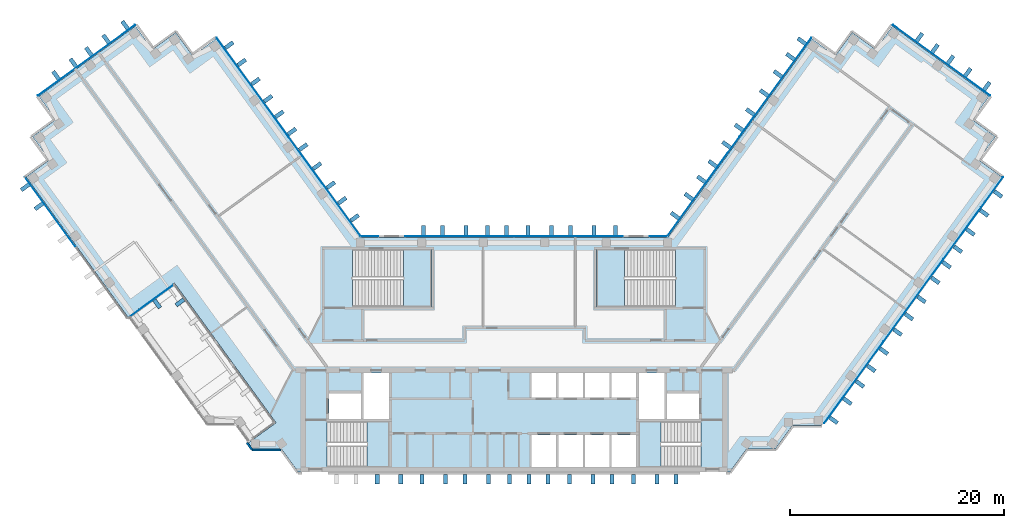
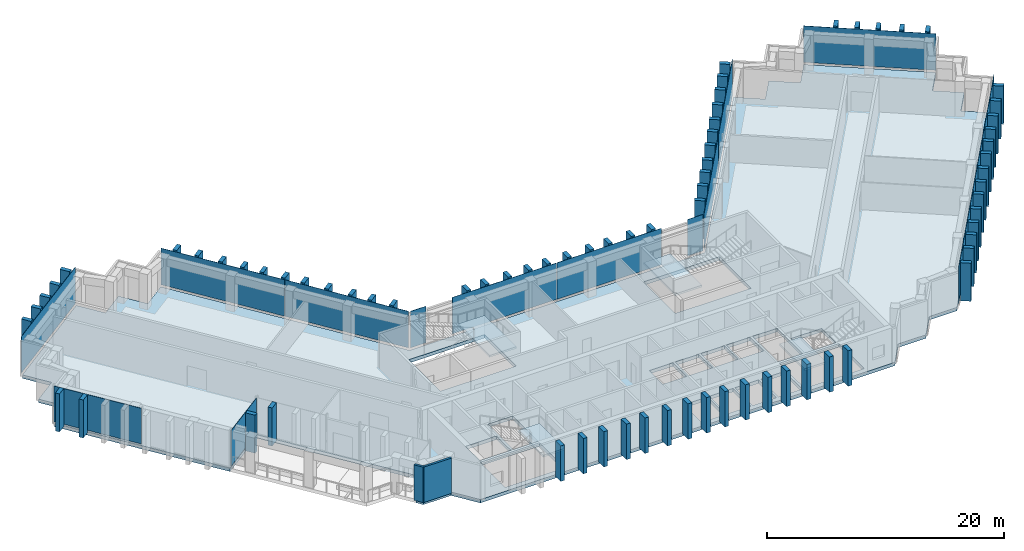
"""IFC4 building model written with IfcOpenShell, lengths in metres."""

from ifc_helpers import new_model, si_unit, direction, frame, frame_2d, origin, origin_2d, place, context, subcontext, project, spatial, polyline, rectangle, outline, extrude, material, layer, layer_set, type_object, element, aggregate, save


model = new_model("IFC4")

# Units and contexts
model_context = context("Model", 3, precision=1e-05, world=origin(), true_north=direction((0.0, 1.0)))
body_context = subcontext(model_context, "Body", "Model", "MODEL_VIEW")
ifc_project = project(units=[si_unit("LENGTHUNIT", "METRE"), si_unit("AREAUNIT", "SQUARE_METRE"), si_unit("VOLUMEUNIT", "CUBIC_METRE"), si_unit("PLANEANGLEUNIT", "RADIAN"), si_unit("MASSUNIT", "GRAM", prefix="KILO")], contexts=[model_context])

# Site, building, storey
site_placement = place(None, origin())
site = spatial("IfcSite", under=ifc_project, at=site_placement, CompositionType="ELEMENT")
building_placement = place(site_placement, origin())
building = spatial("IfcBuilding", under=site, at=building_placement, Name="Quipu Civic Tower", CompositionType="ELEMENT")
storey_1_placement = place(building_placement, frame((0.0, 0.0, 164.0)))
storey_1 = spatial("IfcBuildingStorey", under=building, at=storey_1_placement, Name="L38", CompositionType="ELEMENT", Elevation=164.0)

# Slab
ifc_material_1 = material(Name="Concrete C40/50", Category="concrete")
ifc_layer_1 = layer(ifc_material_1, 0.35009765625)
ifc_layer_set_1 = layer_set([ifc_layer_1], Name="Concrete C40/50")
slab_type_1 = type_object("IfcSlabType", Name="Floor slab 350 C40/50", PredefinedType="FLOOR", material=ifc_layer_set_1)
slab_1_placement = place(storey_1_placement, frame((0.0, 0.0, -0.35009765625)))
element("IfcSlab", 1, at=slab_1_placement, inside=storey_1, type_object=slab_type_1, Name="Floor slab L38", PredefinedType="FLOOR", context=body_context, shape_type="SweptSolid", body=[
    extrude(outline(polyline([(-45.114990234375, 20.445068359375), (-42.929931640625, 22.030029296875), (-44.514892578125, 24.215087890625), (-35.455078125, 30.800048828125), (-33.864990234375, 28.614990234375), (-31.68505859375, 30.199951171875), (-30.094970703125, 28.014892578125), (-27.909912109375, 29.60498046875), (-14.39501953125, 11.0), (14.39501953125, 11.0), (27.909912109375, 29.60498046875), (30.094970703125, 28.014892578125), (31.68505859375, 30.199951171875), (33.864990234375, 28.614990234375), (35.455078125, 30.800048828125), (44.514892578125, 24.215087890625), (42.929931640625, 22.030029296875), (45.114990234375, 20.445068359375), (43.52490234375, 18.260009765625), (45.7099609375, 16.669921875), (28.780029296875, -6.6298828125), (26.080078125, -6.6298828125), (24.489990234375, -8.81494140625), (21.7900390625, -8.81494140625), (20.205078125, -11.0), (-20.205078125, -11.0), (-21.7900390625, -8.81494140625), (-24.489990234375, -8.81494140625), (-24.89990234375, -8.2548828125), (-22.294921875, -6.364990234375), (-31.820068359375, 6.739990234375), (-36.18994140625, 3.56494140625), (-45.7099609375, 16.669921875), (-43.52490234375, 18.260009765625), (-45.114990234375, 20.445068359375)]), holes=[polyline([(1.64990234375, -7.5), (1.64990234375, -10.5), (3.949951171875, -10.5), (3.949951171875, -7.5), (1.64990234375, -7.5)]), polyline([(4.14990234375, -7.5), (4.14990234375, -10.5), (6.449951171875, -10.5), (6.449951171875, -7.5), (4.14990234375, -7.5)]), polyline([(-11.705078125, -6.2548828125), (-17.4951171875, -6.2548828125), (-17.4951171875, -10.4951171875), (-11.705078125, -10.4951171875), (-11.705078125, -6.2548828125)]), polyline([(-17.35009765625, -3.60009765625), (-17.35009765625, -6.0), (-14.35009765625, -6.0), (-14.35009765625, -3.60009765625), (-17.35009765625, -3.60009765625)]), polyline([(-14.10009765625, -1.699951171875), (-14.10009765625, -6.0), (-11.699951171875, -6.0), (-11.699951171875, -1.699951171875), (-14.10009765625, -1.699951171875)]), polyline([(1.64990234375, -1.699951171875), (1.64990234375, -4.0), (3.949951171875, -4.0), (3.949951171875, -1.699951171875), (1.64990234375, -1.699951171875)]), polyline([(4.14990234375, -1.699951171875), (4.14990234375, -4.0), (6.449951171875, -4.0), (6.449951171875, -1.699951171875), (4.14990234375, -1.699951171875)]), polyline([(-7.7548828125, 9.844970703125), (-15.14501953125, 9.844970703125), (-15.14501953125, 4.5048828125), (-7.7548828125, 4.5048828125), (-7.7548828125, 9.844970703125)]), polyline([(6.64990234375, -7.5), (6.64990234375, -10.5), (8.949951171875, -10.5), (8.949951171875, -7.5), (6.64990234375, -7.5)]), polyline([(9.14990234375, -7.5), (9.14990234375, -10.5), (11.449951171875, -10.5), (11.449951171875, -7.5), (9.14990234375, -7.5)]), polyline([(11.705078125, -10.4951171875), (17.4951171875, -10.4951171875), (17.4951171875, -6.2548828125), (11.705078125, -6.2548828125), (11.705078125, -10.4951171875)]), polyline([(14.35009765625, -3.60009765625), (14.35009765625, -6.0), (17.35009765625, -6.0), (17.35009765625, -3.60009765625), (14.35009765625, -3.60009765625)]), polyline([(11.699951171875, -1.699951171875), (11.699951171875, -6.0), (14.10009765625, -6.0), (14.10009765625, -1.699951171875), (11.699951171875, -1.699951171875)]), polyline([(6.64990234375, -1.699951171875), (6.64990234375, -4.0), (8.949951171875, -4.0), (8.949951171875, -1.699951171875), (6.64990234375, -1.699951171875)]), polyline([(9.14990234375, -1.699951171875), (9.14990234375, -4.0), (11.449951171875, -4.0), (11.449951171875, -1.699951171875), (9.14990234375, -1.699951171875)]), polyline([(7.7548828125, 4.5048828125), (15.14501953125, 4.5048828125), (15.14501953125, 9.844970703125), (7.7548828125, 9.844970703125), (7.7548828125, 4.5048828125)])]), origin(), (0.0, 0.0, 1.0), 0.35009765625),
])

# Storey
storey_2_placement = place(building_placement, frame((0.0, 0.0, 160.0)))
storey_2 = spatial("IfcBuildingStorey", under=building, at=storey_2_placement, Name="L37", CompositionType="ELEMENT", Elevation=160.0)

# Curtain wall, plates
ifc_material_2 = material(Name="Insulated glass unit", Category="glass")
curtain_wall_type = type_object("IfcCurtainWallType", Name="Office curtain wall CW1", PredefinedType="NOTDEFINED", material=ifc_material_2)
curtain_wall_1_placement = place(storey_2_placement, origin())
curtain_wall_1 = element("IfcCurtainWall", 2, at=curtain_wall_1_placement, inside=storey_2, type_object=curtain_wall_type, Name="Office curtain wall CW1 L36 run 10", PredefinedType="NOTDEFINED")
ifc_material_3 = material(Name="Insulated glass unit", Category="glass")
ifc_layer_2 = layer(ifc_material_3, 0.028076171875)
ifc_layer_set_2 = layer_set([ifc_layer_2], Name="Insulated glass unit")
plate_type_1 = type_object("IfcPlateType", Name="Glass panel CW1", PredefinedType="CURTAIN_PANEL", material=ifc_layer_set_2)
plate_1_placement = place(storey_1_placement, frame((-17.7421875, 15.777099609375, 0.16015625), z_axis=(0.0, 0.0, 1.0), x_axis=(-0.587788727052, 0.809014469803, 0.0)))
plate_1 = element("IfcPlate", 3, at=plate_1_placement, inside=storey_1, type_object=plate_type_1, Name="CW1 panel 1.3", PredefinedType="CURTAIN_PANEL", context=body_context, shape_type="SweptSolid", body=[
    extrude(rectangle(XDim=11.402099609375, YDim=0.028076171875, at=origin_2d()), origin(), (0.0, 0.0, 1.0), 3.760009765625),
])
plate_2_placement = place(storey_1_placement, frame((-24.491455078125, 25.066162109375, 0.16015625), z_axis=(0.0, 0.0, 1.0), x_axis=(-0.587788727052, 0.809014469803, 0.0)))
plate_2 = element("IfcPlate", 4, at=plate_2_placement, inside=storey_1, type_object=plate_type_1, Name="CW1 panel 2.3", PredefinedType="CURTAIN_PANEL", context=body_context, shape_type="SweptSolid", body=[
    extrude(rectangle(XDim=11.402099609375, YDim=0.028076171875, at=origin_2d()), origin(), (0.0, 0.0, 1.0), 3.760009765625),
])
aggregate(curtain_wall_1, [plate_1, plate_2])

# Curtain wall, plate
curtain_wall_2_placement = place(storey_2_placement, origin())
curtain_wall_2 = element("IfcCurtainWall", 5, at=curtain_wall_2_placement, inside=storey_2, type_object=curtain_wall_type, Name="Office curtain wall CW1 L36 run 15", PredefinedType="NOTDEFINED")
plate_3_placement = place(storey_1_placement, frame((-40.04345703125, 27.58740234375, 0.16015625), z_axis=(0.0, 0.0, 1.0), x_axis=(-0.809015176832, -0.587787753918, 0.0)))
plate_3 = element("IfcPlate", 6, at=plate_3_placement, inside=storey_1, type_object=plate_type_1, Name="CW1 panel 1.3", PredefinedType="CURTAIN_PANEL", context=body_context, shape_type="SweptSolid", body=[
    extrude(rectangle(XDim=11.239990234375, YDim=0.028076171875, at=origin_2d()), origin(), (0.0, 0.0, 1.0), 3.760009765625),
])
aggregate(curtain_wall_2, [plate_3])

# Curtain wall, plates
curtain_wall_3_placement = place(storey_2_placement, origin())
curtain_wall_3 = element("IfcCurtainWall", 7, at=curtain_wall_3_placement, inside=storey_2, type_object=curtain_wall_type, Name="Office curtain wall CW1 L36 run 26", PredefinedType="NOTDEFINED")
plate_4_placement = place(storey_1_placement, frame((31.824951171875, -2.60888671875, 0.16015625), z_axis=(0.0, 0.0, 1.0), x_axis=(0.5877856923, 0.80901667469, 0.0)))
plate_4 = element("IfcPlate", 8, at=plate_4_placement, inside=storey_1, type_object=plate_type_1, Name="CW1 panel 1.3", PredefinedType="CURTAIN_PANEL", context=body_context, shape_type="SweptSolid", body=[
    extrude(rectangle(XDim=9.43212890625, YDim=0.028076171875, at=origin_2d()), origin(), (0.0, 0.0, 1.0), 3.760009765625),
])
plate_5_placement = place(storey_1_placement, frame((37.427734375, 5.102783203125, 0.16015625), z_axis=(0.0, 0.0, 1.0), x_axis=(0.5877856923, 0.80901667469, 0.0)))
plate_5 = element("IfcPlate", 9, at=plate_5_placement, inside=storey_1, type_object=plate_type_1, Name="CW1 panel 2.3", PredefinedType="CURTAIN_PANEL", context=body_context, shape_type="SweptSolid", body=[
    extrude(rectangle(XDim=9.471923828125, YDim=0.028076171875, at=origin_2d()), origin(), (0.0, 0.0, 1.0), 3.760009765625),
])
plate_6_placement = place(storey_1_placement, frame((43.030517578125, 12.814208984375, 0.16015625), z_axis=(0.0, 0.0, 1.0), x_axis=(0.5877856923, 0.80901667469, 0.0)))
plate_6 = element("IfcPlate", 10, at=plate_6_placement, inside=storey_1, type_object=plate_type_1, Name="CW1 panel 3.3", PredefinedType="CURTAIN_PANEL", context=body_context, shape_type="SweptSolid", body=[
    extrude(rectangle(XDim=9.43212890625, YDim=0.028076171875, at=origin_2d()), origin(), (0.0, 0.0, 1.0), 3.760009765625),
])
aggregate(curtain_wall_3, [plate_4, plate_5, plate_6])

# Curtain wall, plate
curtain_wall_4_placement = place(storey_2_placement, origin())
curtain_wall_4 = element("IfcCurtainWall", 11, at=curtain_wall_4_placement, inside=storey_2, type_object=curtain_wall_type, Name="Office curtain wall CW1 L36 run 31", PredefinedType="NOTDEFINED")
plate_7_placement = place(storey_1_placement, frame((40.04345703125, 27.58740234375, 0.16015625), z_axis=(0.0, 0.0, 1.0), x_axis=(-0.809015176832, 0.587787753918, 0.0)))
plate_7 = element("IfcPlate", 12, at=plate_7_placement, inside=storey_1, type_object=plate_type_1, Name="CW1 panel 1.3", PredefinedType="CURTAIN_PANEL", context=body_context, shape_type="SweptSolid", body=[
    extrude(rectangle(XDim=11.239990234375, YDim=0.028076171875, at=origin_2d()), origin(), (0.0, 0.0, 1.0), 3.760009765625),
])
aggregate(curtain_wall_4, [plate_7])

# Curtain wall, plates
curtain_wall_5_placement = place(storey_2_placement, origin())
curtain_wall_5 = element("IfcCurtainWall", 13, at=curtain_wall_5_placement, inside=storey_2, type_object=curtain_wall_type, Name="Office curtain wall CW1 L36 run 36", PredefinedType="NOTDEFINED")
plate_8_placement = place(storey_1_placement, frame((24.491455078125, 25.066162109375, 0.16015625), z_axis=(0.0, 0.0, 1.0), x_axis=(-0.587788727052, -0.809014469803, 0.0)))
plate_8 = element("IfcPlate", 14, at=plate_8_placement, inside=storey_1, type_object=plate_type_1, Name="CW1 panel 1.3", PredefinedType="CURTAIN_PANEL", context=body_context, shape_type="SweptSolid", body=[
    extrude(rectangle(XDim=11.402099609375, YDim=0.028076171875, at=origin_2d()), origin(), (0.0, 0.0, 1.0), 3.760009765625),
])
plate_9_placement = place(storey_1_placement, frame((17.7421875, 15.777099609375, 0.16015625), z_axis=(0.0, 0.0, 1.0), x_axis=(-0.587788727052, -0.809014469803, 0.0)))
plate_9 = element("IfcPlate", 15, at=plate_9_placement, inside=storey_1, type_object=plate_type_1, Name="CW1 panel 2.3", PredefinedType="CURTAIN_PANEL", context=body_context, shape_type="SweptSolid", body=[
    extrude(rectangle(XDim=11.402099609375, YDim=0.028076171875, at=origin_2d()), origin(), (0.0, 0.0, 1.0), 3.760009765625),
])
aggregate(curtain_wall_5, [plate_8, plate_9])

# Curtain wall, plate
curtain_wall_6_placement = place(storey_2_placement, origin())
curtain_wall_6 = element("IfcCurtainWall", 16, at=curtain_wall_6_placement, inside=storey_2, type_object=curtain_wall_type, Name="Office curtain wall CW1 L36 run 37", PredefinedType="NOTDEFINED")
plate_10_placement = place(storey_1_placement, frame((13.49951171875, 11.10009765625, 0.16015625), z_axis=(0.0, 0.0, 1.0), x_axis=(-1.0, 0.0, 0.0)))
plate_10 = element("IfcPlate", 17, at=plate_10_placement, inside=storey_1, type_object=plate_type_1, Name="CW1 panel 1.3", PredefinedType="CURTAIN_PANEL", context=body_context, shape_type="SweptSolid", body=[
    extrude(rectangle(XDim=1.529296875, YDim=0.028076171875, at=origin_2d()), origin(), (0.0, 0.0, 1.0), 3.760009765625),
])
aggregate(curtain_wall_6, [plate_10])

# Curtain wall, plates
curtain_wall_7_placement = place(storey_2_placement, origin())
curtain_wall_7 = element("IfcCurtainWall", 18, at=curtain_wall_7_placement, inside=storey_2, type_object=curtain_wall_type, Name="Office curtain wall CW1 L36 run 39", PredefinedType="NOTDEFINED")
plate_11_placement = place(storey_1_placement, frame((5.11181640625, 11.10009765625, 0.16015625), z_axis=(0.0, 0.0, 1.0), x_axis=(-1.0, 0.0, 0.0)))
plate_11 = element("IfcPlate", 19, at=plate_11_placement, inside=storey_1, type_object=plate_type_1, Name="CW1 panel 1.3", PredefinedType="CURTAIN_PANEL", context=body_context, shape_type="SweptSolid", body=[
    extrude(rectangle(XDim=10.1435546875, YDim=0.028076171875, at=origin_2d()), origin(), (0.0, 0.0, 1.0), 3.760009765625),
])
plate_12_placement = place(storey_1_placement, frame((-5.11181640625, 11.10009765625, 0.16015625), z_axis=(0.0, 0.0, 1.0), x_axis=(-1.0, 0.0, 0.0)))
plate_12 = element("IfcPlate", 20, at=plate_12_placement, inside=storey_1, type_object=plate_type_1, Name="CW1 panel 2.3", PredefinedType="CURTAIN_PANEL", context=body_context, shape_type="SweptSolid", body=[
    extrude(rectangle(XDim=10.1435546875, YDim=0.028076171875, at=origin_2d()), origin(), (0.0, 0.0, 1.0), 3.760009765625),
])
aggregate(curtain_wall_7, [plate_11, plate_12])

# Curtain wall, plate
curtain_wall_8_placement = place(storey_2_placement, origin())
curtain_wall_8 = element("IfcCurtainWall", 21, at=curtain_wall_8_placement, inside=storey_2, type_object=curtain_wall_type, Name="Office curtain wall CW1 L36 run 41", PredefinedType="NOTDEFINED")
plate_13_placement = place(storey_1_placement, frame((-13.49951171875, 11.10009765625, 0.16015625), z_axis=(0.0, 0.0, 1.0), x_axis=(-1.0, 0.0, 0.0)))
plate_13 = element("IfcPlate", 22, at=plate_13_placement, inside=storey_1, type_object=plate_type_1, Name="CW1 panel 1.3", PredefinedType="CURTAIN_PANEL", context=body_context, shape_type="SweptSolid", body=[
    extrude(rectangle(XDim=1.529296875, YDim=0.028076171875, at=origin_2d()), origin(), (0.0, 0.0, 1.0), 3.760009765625),
])
aggregate(curtain_wall_8, [plate_13])

curtain_wall_9_placement = place(storey_1_placement, origin())
curtain_wall_9 = element("IfcCurtainWall", 23, at=curtain_wall_9_placement, inside=storey_1, type_object=curtain_wall_type, Name="Office curtain wall CW1 L38 run 1", PredefinedType="NOTDEFINED")
plate_14_placement = place(storey_1_placement, frame((-43.427734375, 13.361083984375, 0.240234375), z_axis=(0.0, 0.0, 1.0), x_axis=(0.587788406981, -0.80901470235, 0.0)))
plate_14 = element("IfcPlate", 24, at=plate_14_placement, type_object=plate_type_1, Name="CW1 panel 1.1", PredefinedType="CURTAIN_PANEL", context=body_context, shape_type="SweptSolid", body=[
    extrude(rectangle(XDim=8.080078125, YDim=0.028076171875, at=origin_2d()), origin(), (0.0, 0.0, 1.0), 3.679931640625),
])
aggregate(curtain_wall_9, [plate_14])

curtain_wall_10_placement = place(storey_1_placement, origin())
curtain_wall_10 = element("IfcCurtainWall", 25, at=curtain_wall_10_placement, inside=storey_1, type_object=curtain_wall_type, Name="Office curtain wall CW1 L38 run 2", PredefinedType="NOTDEFINED")
plate_15_placement = place(storey_1_placement, frame((-34.025390625, 5.013427734375, 0.240234375), z_axis=(0.0, 0.0, 1.0), x_axis=(0.809021075291, 0.587779635352, 0.0)))
plate_15 = element("IfcPlate", 26, at=plate_15_placement, type_object=plate_type_1, Name="CW1 panel 1.1", PredefinedType="CURTAIN_PANEL", context=body_context, shape_type="SweptSolid", body=[
    extrude(rectangle(XDim=5.239990234375, YDim=0.028076171875, at=origin_2d()), origin(), (0.0, 0.0, 1.0), 3.679931640625),
])
aggregate(curtain_wall_10, [plate_15])

# Plates
ifc_material_4 = material(Name="Precast concrete C40/50", Category="concrete")
plate_type_2 = type_object("IfcPlateType", Name="Precast fin F2", PredefinedType="SHEET", material=ifc_material_4)
for number, where, z_axis, x_axis, name in (
    (27, (-14.92138671875, 12.830078125, 0.080078125), (0.0, 0.0, 1.0), (-0.587787133119, 0.809015627871, 0.0), "Precast fin F2 L38.P01.1"),
    (28, (-16.09716796875, 14.4482421875, 0.080078125), (0.0, 0.0, 1.0), (-0.587787133119, 0.809015627871, 0.0), "Precast fin F2 L38.P01.2"),
    (29, (-17.155029296875, 15.904541015625, 0.080078125), (0.0, 0.0, 1.0), (-0.587787133119, 0.809015627871, 0.0), "Precast fin F2 L38.P01.3"),
    (30, (-18.4482421875, 17.684326171875, 0.080078125), (0.0, 0.0, 1.0), (-0.587787133119, 0.809015627871, 0.0), "Precast fin F2 L38.P01.4"),
    (31, (-19.741455078125, 19.464111328125, 0.080078125), (0.0, 0.0, 1.0), (-0.587787133119, 0.809015627871, 0.0), "Precast fin F2 L38.P01.5"),
    (32, (-20.79931640625, 20.92041015625, 0.080078125), (0.0, 0.0, 1.0), (-0.587787133119, 0.809015627871, 0.0), "Precast fin F2 L38.P01.6"),
    (33, (-21.974853515625, 22.538330078125, 0.080078125), (0.0, 0.0, 1.0), (-0.587787133119, 0.809015627871, 0.0), "Precast fin F2 L38.P01.7"),
    (34, (-23.032958984375, 23.99462890625, 0.080078125), (0.0, 0.0, 1.0), (-0.587787133119, 0.809015627871, 0.0), "Precast fin F2 L38.P01.8"),
    (35, (-24.20849609375, 25.612548828125, 0.080078125), (0.0, 0.0, 1.0), (-0.587787133119, 0.809015627871, 0.0), "Precast fin F2 L38.P01.9"),
    (36, (-25.501708984375, 27.392578125, 0.080078125), (0.0, 0.0, 1.0), (-0.587787133119, 0.809015627871, 0.0), "Precast fin F2 L38.P01.10"),
    (37, (-26.67724609375, 29.010498046875, 0.080078125), (0.0, 0.0, 1.0), (-0.587787133119, 0.809015627871, 0.0), "Precast fin F2 L38.P01.11"),
    (38, (-36.434814453125, 30.88916015625, 0.080078125), (0.0, 0.0, 1.0), (-0.809017072762, -0.587785144401, 0.0), "Precast fin F2 L38.P06.1"),
    (39, (-38.21484375, 29.595947265625, 0.080078125), (0.0, 0.0, 1.0), (-0.809017072762, -0.587785144401, 0.0), "Precast fin F2 L38.P06.2"),
    (40, (-39.832763671875, 28.42041015625, 0.080078125), (0.0, 0.0, 1.0), (-0.809017072762, -0.587785144401, 0.0), "Precast fin F2 L38.P06.3"),
    (41, (-41.2890625, 27.3623046875, 0.080078125), (0.0, 0.0, 1.0), (-0.809017072762, -0.587785144401, 0.0), "Precast fin F2 L38.P06.4"),
    (42, (-42.906982421875, 26.186767578125, 0.080078125), (0.0, 0.0, 1.0), (-0.809017072762, -0.587785144401, 0.0), "Precast fin F2 L38.P06.5"),
):
    element("IfcPlate", number, at=place(storey_1_placement, frame(where, z_axis=z_axis, x_axis=x_axis)), inside=storey_1, type_object=plate_type_2, Name=name, PredefinedType="SHEET", context=body_context, shape_type="SweptSolid", body=[
        extrude(rectangle(XDim=0.3798828125, YDim=0.89990234375, at=origin_2d()), origin(), (0.0, 0.0, 1.0), 3.919921875),
    ])
for number, where, z_axis, x_axis, name in (
    (43, (-12.81005859375, -11.637939453125, 0.0), (0.0, 0.0, 1.0), (1.0, 0.0, 0.0), "Precast fin F2 L38.P12.3"),
    (44, (-10.610107421875, -11.637939453125, 0.0), (0.0, 0.0, 1.0), (1.0, 0.0, 0.0), "Precast fin F2 L38.P12.4"),
    (45, (-8.610107421875, -11.637939453125, 0.0), (0.0, 0.0, 1.0), (1.0, 0.0, 0.0), "Precast fin F2 L38.P12.5"),
    (46, (-6.409912109375, -11.637939453125, 0.0), (0.0, 0.0, 1.0), (1.0, 0.0, 0.0), "Precast fin F2 L38.P12.6"),
    (47, (-4.610107421875, -11.637939453125, 0.0), (0.0, 0.0, 1.0), (1.0, 0.0, 0.0), "Precast fin F2 L38.P12.7"),
    (48, (-2.409912109375, -11.637939453125, 0.0), (0.0, 0.0, 1.0), (1.0, 0.0, 0.0), "Precast fin F2 L38.P12.8"),
    (49, (-0.409912109375, -11.637939453125, 0.0), (0.0, 0.0, 1.0), (1.0, 0.0, 0.0), "Precast fin F2 L38.P12.9"),
    (50, (1.389892578125, -11.637939453125, 0.0), (0.0, 0.0, 1.0), (1.0, 0.0, 0.0), "Precast fin F2 L38.P12.10"),
    (51, (3.18994140625, -11.637939453125, 0.0), (0.0, 0.0, 1.0), (1.0, 0.0, 0.0), "Precast fin F2 L38.P12.11"),
    (52, (5.18994140625, -11.637939453125, 0.0), (0.0, 0.0, 1.0), (1.0, 0.0, 0.0), "Precast fin F2 L38.P12.12"),
    (53, (7.389892578125, -11.637939453125, 0.0), (0.0, 0.0, 1.0), (1.0, 0.0, 0.0), "Precast fin F2 L38.P12.13"),
    (54, (9.18994140625, -11.637939453125, 0.0), (0.0, 0.0, 1.0), (1.0, 0.0, 0.0), "Precast fin F2 L38.P12.14"),
    (55, (11.18994140625, -11.637939453125, 0.0), (0.0, 0.0, 1.0), (1.0, 0.0, 0.0), "Precast fin F2 L38.P12.15"),
    (56, (13.389892578125, -11.637939453125, 0.0), (0.0, 0.0, 1.0), (1.0, 0.0, 0.0), "Precast fin F2 L38.P12.16"),
    (57, (15.18994140625, -11.637939453125, 0.0), (0.0, 0.0, 1.0), (1.0, 0.0, 0.0), "Precast fin F2 L38.P12.17"),
):
    element("IfcPlate", number, at=place(storey_1_placement, frame(where, z_axis=z_axis, x_axis=x_axis)), inside=storey_1, type_object=plate_type_2, Name=name, PredefinedType="SHEET", context=body_context, shape_type="SweptSolid", body=[
        extrude(rectangle(XDim=0.3798828125, YDim=0.89990234375, at=origin_2d()), origin(), (0.0, 0.0, 1.0), 3.64990234375),
    ])
for number, where, z_axis, x_axis, name in (
    (58, (29.944091796875, -6.133056640625, 0.080078125), (0.0, 0.0, 1.0), (0.587785620359, 0.809016726959, 0.0), "Precast fin F2 L38.P18.1"),
    (59, (31.2373046875, -4.353271484375, 0.080078125), (0.0, 0.0, 1.0), (0.587785620359, 0.809016726959, 0.0), "Precast fin F2 L38.P18.2"),
    (60, (32.412841796875, -2.7353515625, 0.080078125), (0.0, 0.0, 1.0), (0.587785620359, 0.809016726959, 0.0), "Precast fin F2 L38.P18.3"),
    (61, (33.470947265625, -1.279052734375, 0.080078125), (0.0, 0.0, 1.0), (0.587785620359, 0.809016726959, 0.0), "Precast fin F2 L38.P18.4"),
    (62, (34.646484375, 0.339111328125, 0.080078125), (0.0, 0.0, 1.0), (0.587785620359, 0.809016726959, 0.0), "Precast fin F2 L38.P18.5"),
    (63, (35.939697265625, 2.118896484375, 0.080078125), (0.0, 0.0, 1.0), (0.587785620359, 0.809016726959, 0.0), "Precast fin F2 L38.P18.6"),
    (64, (36.99755859375, 3.5751953125, 0.080078125), (0.0, 0.0, 1.0), (0.587785620359, 0.809016726959, 0.0), "Precast fin F2 L38.P18.7"),
    (65, (38.173095703125, 5.193115234375, 0.080078125), (0.0, 0.0, 1.0), (0.587785620359, 0.809016726959, 0.0), "Precast fin F2 L38.P18.8"),
    (66, (39.46630859375, 6.972900390625, 0.080078125), (0.0, 0.0, 1.0), (0.587785620359, 0.809016726959, 0.0), "Precast fin F2 L38.P18.9"),
    (67, (40.5244140625, 8.42919921875, 0.080078125), (0.0, 0.0, 1.0), (0.587785620359, 0.809016726959, 0.0), "Precast fin F2 L38.P18.10"),
    (68, (41.582275390625, 9.885498046875, 0.080078125), (0.0, 0.0, 1.0), (0.587785620359, 0.809016726959, 0.0), "Precast fin F2 L38.P18.11"),
    (69, (42.7578125, 11.50341796875, 0.080078125), (0.0, 0.0, 1.0), (0.587785620359, 0.809016726959, 0.0), "Precast fin F2 L38.P18.12"),
    (70, (44.051025390625, 13.283203125, 0.080078125), (0.0, 0.0, 1.0), (0.587785620359, 0.809016726959, 0.0), "Precast fin F2 L38.P18.13"),
    (71, (45.34423828125, 15.063232421875, 0.080078125), (0.0, 0.0, 1.0), (0.587785620359, 0.809016726959, 0.0), "Precast fin F2 L38.P18.14"),
    (72, (44.298583984375, 25.17578125, 0.080078125), (0.0, 0.0, 1.0), (-0.809017072762, 0.587785144401, 0.0), "Precast fin F2 L38.P23.1"),
    (73, (42.518798828125, 26.468994140625, 0.080078125), (0.0, 0.0, 1.0), (-0.809017072762, 0.587785144401, 0.0), "Precast fin F2 L38.P23.2"),
    (74, (40.900634765625, 27.64453125, 0.080078125), (0.0, 0.0, 1.0), (-0.809017072762, 0.587785144401, 0.0), "Precast fin F2 L38.P23.3"),
    (75, (39.444580078125, 28.70263671875, 0.080078125), (0.0, 0.0, 1.0), (-0.809017072762, 0.587785144401, 0.0), "Precast fin F2 L38.P23.4"),
    (76, (37.98828125, 29.760498046875, 0.080078125), (0.0, 0.0, 1.0), (-0.809017072762, 0.587785144401, 0.0), "Precast fin F2 L38.P23.5"),
    (77, (26.95068359375, 29.386962890625, 0.080078125), (0.0, 0.0, 1.0), (-0.587787133119, -0.809015627871, 0.0), "Precast fin F2 L38.P28.1"),
    (78, (25.892578125, 27.9306640625, 0.080078125), (0.0, 0.0, 1.0), (-0.587787133119, -0.809015627871, 0.0), "Precast fin F2 L38.P28.2"),
    (79, (24.717041015625, 26.312744140625, 0.080078125), (0.0, 0.0, 1.0), (-0.587787133119, -0.809015627871, 0.0), "Precast fin F2 L38.P28.3"),
    (80, (23.424072265625, 24.53271484375, 0.080078125), (0.0, 0.0, 1.0), (-0.587787133119, -0.809015627871, 0.0), "Precast fin F2 L38.P28.4"),
    (81, (22.130859375, 22.7529296875, 0.080078125), (0.0, 0.0, 1.0), (-0.587787133119, -0.809015627871, 0.0), "Precast fin F2 L38.P28.5"),
    (82, (21.07275390625, 21.296630859375, 0.080078125), (0.0, 0.0, 1.0), (-0.587787133119, -0.809015627871, 0.0), "Precast fin F2 L38.P28.6"),
    (83, (19.897216796875, 19.6787109375, 0.080078125), (0.0, 0.0, 1.0), (-0.587787133119, -0.809015627871, 0.0), "Precast fin F2 L38.P28.7"),
    (84, (18.60400390625, 17.89892578125, 0.080078125), (0.0, 0.0, 1.0), (-0.587787133119, -0.809015627871, 0.0), "Precast fin F2 L38.P28.8"),
    (85, (17.546142578125, 16.442626953125, 0.080078125), (0.0, 0.0, 1.0), (-0.587787133119, -0.809015627871, 0.0), "Precast fin F2 L38.P28.9"),
    (86, (16.37060546875, 14.82470703125, 0.080078125), (0.0, 0.0, 1.0), (-0.587787133119, -0.809015627871, 0.0), "Precast fin F2 L38.P28.10"),
    (87, (15.077392578125, 13.044677734375, 0.080078125), (0.0, 0.0, 1.0), (-0.587787133119, -0.809015627871, 0.0), "Precast fin F2 L38.P28.11"),
    (88, (9.510009765625, 11.64990234375, 0.080078125), (0.0, 0.0, 1.0), (-1.0, 0.0, 0.0), "Precast fin F2 L38.P31.1"),
    (89, (7.510009765625, 11.64990234375, 0.080078125), (0.0, 0.0, 1.0), (-1.0, 0.0, 0.0), "Precast fin F2 L38.P31.2"),
    (90, (5.31005859375, 11.64990234375, 0.080078125), (0.0, 0.0, 1.0), (-1.0, 0.0, 0.0), "Precast fin F2 L38.P31.3"),
    (91, (3.510009765625, 11.64990234375, 0.080078125), (0.0, 0.0, 1.0), (-1.0, 0.0, 0.0), "Precast fin F2 L38.P31.4"),
    (92, (1.31005859375, 11.64990234375, 0.080078125), (0.0, 0.0, 1.0), (-1.0, 0.0, 0.0), "Precast fin F2 L38.P31.5"),
    (93, (-0.68994140625, 11.64990234375, 0.080078125), (0.0, 0.0, 1.0), (-1.0, 0.0, 0.0), "Precast fin F2 L38.P31.6"),
    (94, (-2.489990234375, 11.64990234375, 0.080078125), (0.0, 0.0, 1.0), (-1.0, 0.0, 0.0), "Precast fin F2 L38.P31.7"),
    (95, (-4.489990234375, 11.64990234375, 0.080078125), (0.0, 0.0, 1.0), (-1.0, 0.0, 0.0), "Precast fin F2 L38.P31.8"),
    (96, (-6.68994140625, 11.64990234375, 0.080078125), (0.0, 0.0, 1.0), (-1.0, 0.0, 0.0), "Precast fin F2 L38.P31.9"),
    (97, (-8.489990234375, 11.64990234375, 0.080078125), (0.0, 0.0, 1.0), (-1.0, 0.0, 0.0), "Precast fin F2 L38.P31.10"),
    (98, (-45.80078125, 15.69140625, 0.080078125), (0.0, 0.0, 1.0), (0.587786610933, -0.809016007263, 0.0), "Precast fin F2 L38.1.1"),
    (99, (-44.507568359375, 13.91162109375, 0.080078125), (0.0, 0.0, 1.0), (0.587786610933, -0.809016007263, 0.0), "Precast fin F2 L38.1.2"),
    (100, (-33.427001953125, 4.768310546875, 0.080078125), (0.0, 0.0, 1.0), (0.809021075291, 0.587779635352, 0.0), "Precast fin F2 L38.2.2"),
    (101, (-31.292724609375, 4.909912109375, 0.080078125), (0.0, 0.0, 1.0), (0.587783675566, -0.809018139931, 0.0), "Precast fin F2 L38.3.1"),
):
    element("IfcPlate", number, at=place(storey_1_placement, frame(where, z_axis=z_axis, x_axis=x_axis)), inside=storey_1, type_object=plate_type_2, Name=name, PredefinedType="SHEET", context=body_context, shape_type="SweptSolid", body=[
        extrude(rectangle(XDim=0.3798828125, YDim=0.89990234375, at=origin_2d()), origin(), (0.0, 0.0, 1.0), 3.919921875),
    ])

# Stair, slab
ifc_material_5 = material(Name="Concrete C40/50", Category="concrete")
stair_type_1 = type_object("IfcStairType", Name="Half turn stair 2000", PredefinedType="HALF_TURN_STAIR", material=ifc_material_5)
stair_1_placement = place(storey_1_placement, origin())
stair_1 = element("IfcStair", 102, at=stair_1_placement, inside=storey_1, type_object=stair_type_1, Name="Exit stair 1", PredefinedType="HALF_TURN_STAIR")
ifc_material_6 = material(Name="Concrete C40/50", Category="concrete")
ifc_layer_3 = layer(ifc_material_6, 0.199951171875)
ifc_layer_set_3 = layer_set([ifc_layer_3], Name="Concrete C40/50")
slab_type_2 = type_object("IfcSlabType", Name="Stair landing 200", PredefinedType="LANDING", material=ifc_layer_set_3)
slab_2_placement = place(storey_1_placement, frame((0.0, 0.0, 1.800048828125)))
slab_2 = element("IfcSlab", 103, at=slab_2_placement, type_object=slab_type_2, Name="ST-1 landing 1", PredefinedType="LANDING", context=body_context, shape_type="SweptSolid", body=[
    extrude(outline(polyline([(-13.780029296875, -10.5), (-11.699951171875, -10.5), (-11.699951171875, -6.25), (-13.780029296875, -6.25), (-13.780029296875, -10.5)])), origin(), (0.0, 0.0, 1.0), 0.199951171875),
])
aggregate(stair_1, [slab_2])

stair_2_placement = place(storey_1_placement, origin())
stair_2 = element("IfcStair", 104, at=stair_2_placement, inside=storey_1, type_object=stair_type_1, Name="Exit stair 2", PredefinedType="HALF_TURN_STAIR")
slab_3_placement = place(storey_1_placement, frame((0.0, 0.0, 1.800048828125)))
slab_3 = element("IfcSlab", 105, at=slab_3_placement, type_object=slab_type_2, Name="ST-2 landing 1", PredefinedType="LANDING", context=body_context, shape_type="SweptSolid", body=[
    extrude(outline(polyline([(13.780029296875, -6.25), (11.699951171875, -6.25), (11.699951171875, -10.5), (13.780029296875, -10.5), (13.780029296875, -6.25)])), origin(), (0.0, 0.0, 1.0), 0.199951171875),
])
aggregate(stair_2, [slab_3])

ifc_material_7 = material(Name="Concrete C40/50", Category="concrete")
stair_type_2 = type_object("IfcStairType", Name="Half turn stair 2600", PredefinedType="HALF_TURN_STAIR", material=ifc_material_7)
stair_3_placement = place(storey_1_placement, origin())
stair_3 = element("IfcStair", 106, at=stair_3_placement, inside=storey_1, type_object=stair_type_2, Name="Exit stair 3", PredefinedType="HALF_TURN_STAIR")
slab_4_placement = place(storey_1_placement, frame((0.0, 0.0, 1.800048828125)))
slab_4 = element("IfcSlab", 107, at=slab_4_placement, type_object=slab_type_2, Name="ST-3 landing 1", PredefinedType="LANDING", context=body_context, shape_type="SweptSolid", body=[
    extrude(outline(polyline([(-10.35009765625, 4.5), (-7.75, 4.5), (-7.75, 9.85009765625), (-10.35009765625, 9.85009765625), (-10.35009765625, 4.5)])), origin(), (0.0, 0.0, 1.0), 0.199951171875),
])
aggregate(stair_3, [slab_4])

stair_4_placement = place(storey_1_placement, origin())
stair_4 = element("IfcStair", 108, at=stair_4_placement, inside=storey_1, type_object=stair_type_2, Name="Exit stair 4", PredefinedType="HALF_TURN_STAIR")
slab_5_placement = place(storey_1_placement, frame((0.0, 0.0, 1.800048828125)))
slab_5 = element("IfcSlab", 109, at=slab_5_placement, type_object=slab_type_2, Name="ST-4 landing 1", PredefinedType="LANDING", context=body_context, shape_type="SweptSolid", body=[
    extrude(outline(polyline([(10.35009765625, 9.85009765625), (7.75, 9.85009765625), (7.75, 4.5), (10.35009765625, 4.5), (10.35009765625, 9.85009765625)])), origin(), (0.0, 0.0, 1.0), 0.199951171875),
])
aggregate(stair_4, [slab_5])

# Walls
ifc_material_8 = material(Name="Precast concrete C40/50", Category="concrete")
wall_type = type_object("IfcWallType", Name="Precast cladding wall", PredefinedType="SOLIDWALL", material=ifc_material_8)
wall_1_placement = place(storey_1_placement, frame((-24.542724609375, -8.90380859375, 0.0), z_axis=(0.0, 0.0, 1.0), x_axis=(1.0, 0.0, 0.0)))
element("IfcWall", 110, at=wall_1_placement, inside=storey_1, type_object=wall_type, Name="Precast cladding wall L38 P08", PredefinedType="SOLIDWALL", context=body_context, shape_type="SweptSolid", body=[
    extrude(rectangle(XDim=2.699951171875, YDim=0.199951171875, at=frame_2d((1.35009765625, 0.0))), origin(), (0.0, 0.0, 1.0), 3.64990234375),
])
wall_2_placement = place(storey_1_placement, frame((-25.0283203125, -8.226806640625, 0.0), z_axis=(0.0, 0.0, 1.0), x_axis=(0.587551368178, -0.809186869488, 0.0)))
element("IfcWall", 111, at=wall_2_placement, inside=storey_1, type_object=wall_type, Name="Precast cladding wall L38 8", PredefinedType="SOLIDWALL", context=body_context, shape_type="SweptSolid", body=[
    extrude(rectangle(XDim=0.8427734375, YDim=0.199951171875, at=frame_2d((0.42138671875, 0.0))), origin(), (0.0, 0.0, 1.0), 3.64990234375),
])

save(model, "model.ifc")
